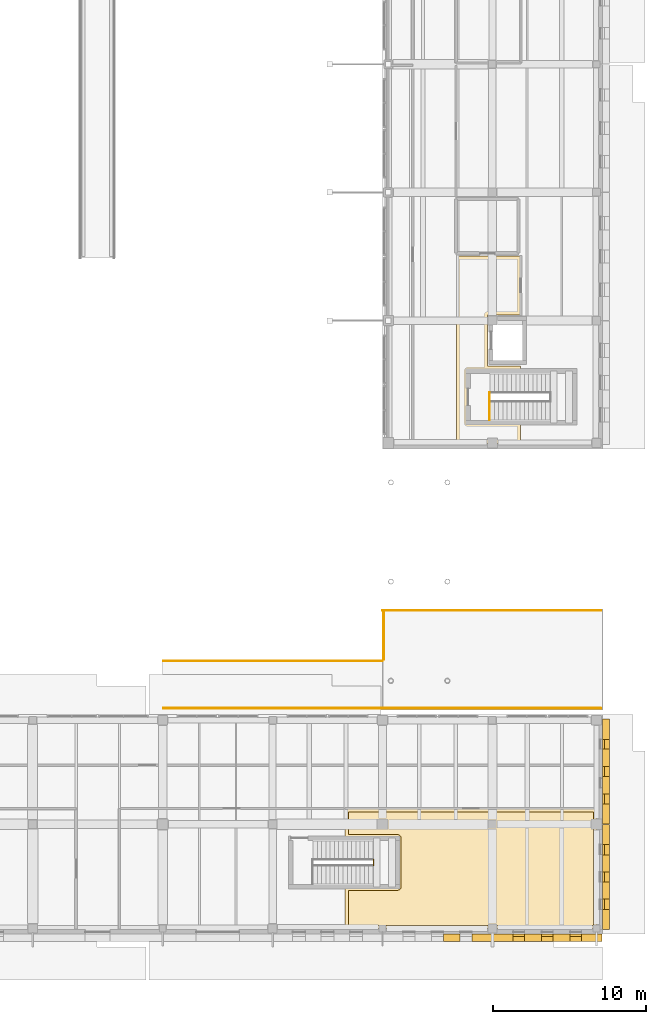
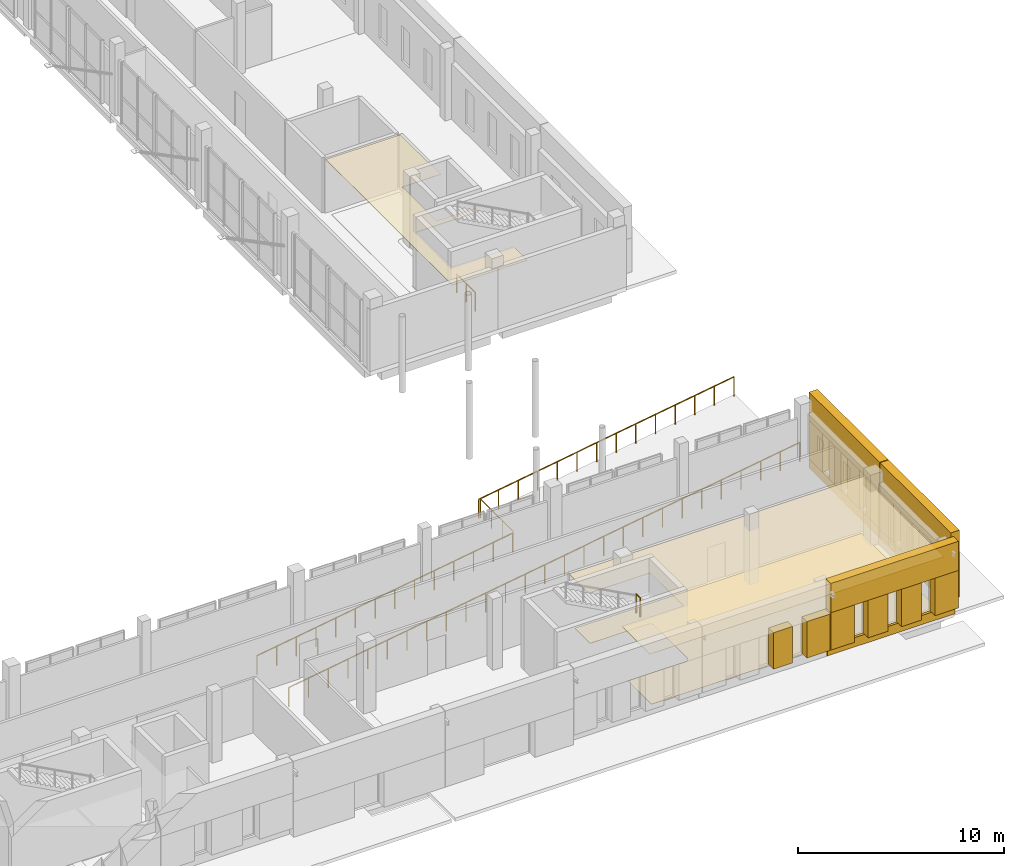
# One storey, part 75 of 77: 23 coverings, 7 railings.
"""IFC4 building model written with IfcOpenShell, lengths in metres."""

import ifcopenshell
import ifcopenshell.guid

model = None  # the IFC model being written
_history = None  # IfcOwnerHistory: only IFC2X3 demands one
_inside = {}  # id of a spatial element -> (the spatial element, [elements in it])
_under = {}  # id of a project, library or spatial element -> (it, [spatial elements below it])
_declared = {}  # id of a project -> (the project, [libraries it declares])
_typed = {}  # id of a type object -> (the type object, [elements of that type])
_made_of = {}  # id of a material, layer set ... -> (it, [elements and type objects made of it])


def new_model(schema):
    """Start an empty IFC model of exactly this schema.

    Asked for "IFC4X3", IfcOpenShell would pick the latest addendum, in which some entities
    have other attributes; the version numbers below select the first issue.
    IFC2X3 requires an IfcOwnerHistory on every rooted entity: one is made here for all.
    """
    global model, _history
    if schema == "IFC4X3":
        model = ifcopenshell.file(schema_version=(4, 3, 0, 0))
    else:
        model = ifcopenshell.file(schema=schema)
    _inside.clear()
    _under.clear()
    _declared.clear()
    _typed.clear()
    _made_of.clear()
    _history = None
    if model.schema == "IFC2X3":
        org = make("IfcOrganization", Name="unknown")
        user = make(
            "IfcPersonAndOrganization",
            ThePerson=make("IfcPerson", FamilyName="unknown"),
            TheOrganization=org,
        )
        app = make(
            "IfcApplication",
            ApplicationDeveloper=org,
            Version="unknown",
            ApplicationFullName="unknown",
            ApplicationIdentifier="unknown",
        )
        _history = make(
            "IfcOwnerHistory",
            OwningUser=user,
            OwningApplication=app,
            ChangeAction="ADDED",
            CreationDate=0,
        )
    return model


def make(cls, **values):
    """One entity of the class cls with the attributes given. An attribute that is None is left unset."""
    return model.create_entity(
        cls, **{name: value for name, value in values.items() if value is not None}
    )


def rooted(cls, **values):
    """An entity with a GlobalId (a new one), such as an element, a storey or a relation."""
    return make(cls, GlobalId=ifcopenshell.guid.new(), OwnerHistory=_history, **values)


def si_unit(unit_type, name, prefix=None):
    """IfcSIUnit, for example si_unit("LENGTHUNIT", "METRE", prefix="MILLI")."""
    return make("IfcSIUnit", UnitType=unit_type, Prefix=prefix, Name=name)


def assignment(units):
    """IfcUnitAssignment: the units of a project."""
    return None if units is None else make("IfcUnitAssignment", Units=units)


def point(xyz):
    """IfcCartesianPoint."""
    return None if xyz is None else make("IfcCartesianPoint", Coordinates=xyz)


def direction(xyz):
    """IfcDirection."""
    return None if xyz is None else make("IfcDirection", DirectionRatios=xyz)


def frame(location, z_axis=None, x_axis=None):
    """IfcAxis2Placement3D, a coordinate frame: its origin and axes. An axis left out is left unset."""
    return make(
        "IfcAxis2Placement3D",
        Location=point(location),
        Axis=direction(z_axis),
        RefDirection=direction(x_axis),
    )


def frame_2d(location, x_axis=None):
    """IfcAxis2Placement2D, a coordinate frame in the plane: its origin and x axis."""
    return make(
        "IfcAxis2Placement2D", Location=point(location), RefDirection=direction(x_axis)
    )


def origin():
    """The frame at (0, 0, 0) with its axes left unset."""
    return frame((0.0, 0.0, 0.0))


def origin_2d():
    """The frame at (0, 0) in the plane with its x axis left unset."""
    return frame_2d((0.0, 0.0))


def place(relative_to, where):
    """IfcLocalPlacement: puts the frame where relative to a parent placement (None: the world)."""
    return make(
        "IfcLocalPlacement", PlacementRelTo=relative_to, RelativePlacement=where
    )


def context(
    kind, dimensions, precision=None, world=None, true_north=None, identifier=None
):
    """IfcGeometricRepresentationContext, for example the 3D "Model" context."""
    return make(
        "IfcGeometricRepresentationContext",
        ContextIdentifier=identifier,
        ContextType=kind,
        CoordinateSpaceDimension=dimensions,
        Precision=precision,
        WorldCoordinateSystem=world,
        TrueNorth=true_north,
    )


def subcontext(parent, identifier, kind, view, scale=None):
    """IfcGeometricRepresentationSubContext, for example "Body" below "Model"."""
    return make(
        "IfcGeometricRepresentationSubContext",
        ContextIdentifier=identifier,
        ContextType=kind,
        ParentContext=parent,
        TargetScale=scale,
        TargetView=view,
    )


def project(units=None, contexts=None):
    """IfcProject with its units and contexts."""
    return rooted(
        "IfcProject",
        Name="project",
        RepresentationContexts=contexts,
        UnitsInContext=assignment(units),
    )


def spatial(cls, under=None, at=None, **own):
    """A site, building, storey or space (cls), placed at a placement, below another one or the project."""
    s = rooted(cls, ObjectPlacement=at, **own)
    if under is not None:
        _under.setdefault(under.id(), (under, []))[1].append(s)
    return s


def polyline(points):
    """IfcPolyline through the points."""
    return make("IfcPolyline", Points=[point(p) for p in points])


def profile(cls, at=None, kind="AREA", **sizes):
    """A parametric profile (cls). Its sizes go by their IFC names, for example OverallWidth=200.0."""
    return make(cls, ProfileType=kind, Position=at, **sizes)


def circle(**sizes):
    """IfcCircleProfileDef."""
    return profile("IfcCircleProfileDef", **sizes)


def outline(outer, holes=None, kind="AREA"):
    """IfcArbitraryClosedProfileDef: a profile drawn as a closed curve; with holes, ...WithVoids."""
    if holes is None:
        return make("IfcArbitraryClosedProfileDef", ProfileType=kind, OuterCurve=outer)
    return make(
        "IfcArbitraryProfileDefWithVoids",
        ProfileType=kind,
        OuterCurve=outer,
        InnerCurves=holes,
    )


def extrude(swept, where, along, depth):
    """IfcExtrudedAreaSolid: the profile swept, set in the frame where, extruded along a direction by depth."""
    return make(
        "IfcExtrudedAreaSolid",
        SweptArea=swept,
        Position=where,
        ExtrudedDirection=direction(along),
        Depth=depth,
    )


def shape(context_of_items, identifier, shape_type, items):
    """IfcShapeRepresentation: the items that make up one representation, for example the "Body"."""
    return make(
        "IfcShapeRepresentation",
        ContextOfItems=context_of_items,
        RepresentationIdentifier=identifier,
        RepresentationType=shape_type,
        Items=items,
    )


def material(Name=None, Category=None):
    """IfcMaterial."""
    return make("IfcMaterial", Name=Name, Category=Category)


def layer(
    of_material, thickness, ventilated=None, Name=None, Category=None, Priority=None
):
    """IfcMaterialLayer: one layer of a wall or slab, of a material (None: an air gap)."""
    return make(
        "IfcMaterialLayer",
        Material=of_material,
        LayerThickness=thickness,
        IsVentilated=ventilated,
        Name=Name,
        Category=Category,
        Priority=Priority,
    )


def layer_set(layers, Name=None):
    """IfcMaterialLayerSet."""
    return make("IfcMaterialLayerSet", MaterialLayers=layers, LayerSetName=Name)


def made_of(thing, what):
    """Note that an element or type object is made of a material, layer set ...; save() writes the relation."""
    if what is not None:
        _made_of.setdefault(what.id(), (what, []))[1].append(thing)
    return thing


def type_object(cls, material=None, **own):
    """A type object (cls), such as IfcWallType, which elements share."""
    return made_of(rooted(cls, **own), material)


def element(
    cls,
    number,
    at=None,
    inside=None,
    cuts=None,
    type_object=None,
    material=None,
    context=None,
    identifier="Body",
    shape_type=None,
    held_by="IfcProductDefinitionShape",
    body=None,
    shapes=None,
    **own,
):
    """One element of the class cls, such as IfcWall. Its Tag is "e" and its number.

    at: its placement. inside: the storey or other place that contains it. cuts: it is an
    opening in that element (IfcRelVoidsElement). A single representation is given by context,
    identifier, shape_type and body (its items); several are given by shapes. held_by: the class
    of the entity that holds the representations. save() writes the other relations.
    """
    e = rooted(cls, Tag="e%d" % number, ObjectPlacement=at, **own)
    if body is not None:
        shapes = [shape(context, identifier, shape_type, body)]
    if shapes is not None:
        e.Representation = make(held_by, Representations=shapes)
    if inside is not None:
        _inside.setdefault(inside.id(), (inside, []))[1].append(e)
    if cuts is not None:
        rooted(
            "IfcRelVoidsElement", RelatingBuildingElement=cuts, RelatedOpeningElement=e
        )
    if type_object is not None:
        _typed.setdefault(type_object.id(), (type_object, []))[1].append(e)
    return made_of(e, material)


def aggregate(whole, parts):
    """IfcRelAggregates: a whole, such as a stair, and the parts it consists of."""
    return rooted("IfcRelAggregates", RelatingObject=whole, RelatedObjects=parts)


def save(model, path):
    """Write the relations noted so far, then the file.

    IfcRelAggregates (storeys below a building ...), IfcRelContainedInSpatialStructure (elements
    in a storey), IfcRelDefinesByType, IfcRelAssociatesMaterial and IfcRelDeclares: one each for
    every whole, place, type object, material and project.
    """
    for whole, parts in _under.values():
        aggregate(whole, parts)
    for where, things in _inside.values():
        rooted(
            "IfcRelContainedInSpatialStructure",
            RelatedElements=things,
            RelatingStructure=where,
        )
    for kind, things in _typed.values():
        rooted("IfcRelDefinesByType", RelatedObjects=things, RelatingType=kind)
    for what, things in _made_of.values():
        rooted("IfcRelAssociatesMaterial", RelatedObjects=things, RelatingMaterial=what)
    for by, libraries in _declared.values():
        rooted("IfcRelDeclares", RelatingContext=by, RelatedDefinitions=libraries)
    model.write(path)


model = new_model("IFC4")

# Units and contexts
model_context = context("Model", 3, precision=1e-05, world=origin(), true_north=direction((0.0, 1.0)))
body_context = subcontext(model_context, "Body", "Model", "MODEL_VIEW")
ifc_project = project(units=[si_unit("LENGTHUNIT", "METRE"), si_unit("AREAUNIT", "SQUARE_METRE"), si_unit("VOLUMEUNIT", "CUBIC_METRE"), si_unit("PLANEANGLEUNIT", "RADIAN"), si_unit("MASSUNIT", "GRAM", prefix="KILO")], contexts=[model_context])

# Site, building, storey
site_placement = place(None, origin())
site = spatial("IfcSite", under=ifc_project, at=site_placement, CompositionType="ELEMENT")
building_placement = place(site_placement, origin())
building = spatial("IfcBuilding", under=site, at=building_placement, Name="Vardoun Plaza Health Centre", CompositionType="ELEMENT")
storey_placement = place(building_placement, origin())
storey = spatial("IfcBuildingStorey", under=building, at=storey_placement, Name="L00", CompositionType="ELEMENT", Elevation=0.0)

# Coverings
ifc_material_1 = material(Name="Hygienic Acoustic Mineral-Fibre Ceiling", Category="concrete")
ifc_layer_1 = layer(ifc_material_1, 0.02490234375)
ifc_layer_set_1 = layer_set([ifc_layer_1], Name="Hygienic Acoustic Mineral-Fibre Ceiling")
covering_type_1 = type_object("IfcCoveringType", Name="CL-01", PredefinedType="CEILING", material=ifc_layer_set_1)
covering_1_placement = place(storey_placement, frame((0.0, 0.0, 3.1650390625)))
element("IfcCovering", 1, at=covering_1_placement, inside=storey, type_object=covering_type_1, Name="Pre-Operative Assessment Clinic 2 Acoustic Ceiling", PredefinedType="CEILING", context=body_context, shape_type="SweptSolid", body=[
    extrude(outline(polyline([(148.449951171875, 4.860107421875), (148.449951171875, 7.590087890625), (151.89990234375, 7.590087890625), (151.90087890625, 7.590087890625), (151.902099609375, 7.590087890625), (151.90283203125, 7.59033203125), (151.90380859375, 7.5908203125), (151.90478515625, 7.59130859375), (151.905517578125, 7.591796875), (151.90625, 7.59228515625), (151.906982421875, 7.593017578125), (151.90771484375, 7.59375), (151.908203125, 7.594482421875), (151.90869140625, 7.59521484375), (151.9091796875, 7.59619140625), (151.90966796875, 7.59716796875), (151.909912109375, 7.597900390625), (151.909912109375, 7.59912109375), (151.909912109375, 7.60009765625), (151.909912109375, 10.800048828125), (151.909912109375, 10.801025390625), (151.909912109375, 10.802001953125), (151.90966796875, 10.802978515625), (151.9091796875, 10.8037109375), (151.90869140625, 10.8046875), (151.908203125, 10.8056640625), (151.90771484375, 10.806396484375), (151.906982421875, 10.80712890625), (151.90625, 10.8076171875), (151.905517578125, 10.808349609375), (151.90478515625, 10.808837890625), (151.90380859375, 10.80908203125), (151.90283203125, 10.8095703125), (151.902099609375, 10.809814453125), (151.90087890625, 10.81005859375), (151.89990234375, 10.81005859375), (148.449951171875, 10.81005859375), (148.449951171875, 12.719970703125), (164.93994140625, 12.719970703125), (164.93994140625, 4.860107421875), (148.449951171875, 4.860107421875)])), origin(), (0.0, 0.0, 1.0), 0.02490234375),
])
covering_2_placement = place(storey_placement, frame((0.0, 0.0, 3.2099609375)))
element("IfcCovering", 2, at=covering_2_placement, inside=storey, type_object=covering_type_1, Name="Outpatient Pharmacy Dispensary A Acoustic Ceiling", PredefinedType="CEILING", context=body_context, shape_type="SweptSolid", body=[
    extrude(outline(polyline([(159.949951171875, 45.06005859375), (157.800048828125, 45.06005859375), (157.799072265625, 45.06005859375), (157.798095703125, 45.059814453125), (157.797119140625, 45.0595703125), (157.796142578125, 45.05908203125), (157.79541015625, 45.058837890625), (157.79443359375, 45.058349609375), (157.793701171875, 45.0576171875), (157.79296875, 45.05712890625), (157.792236328125, 45.056396484375), (157.791748046875, 45.0556640625), (157.791259765625, 45.0546875), (157.790771484375, 45.0537109375), (157.790283203125, 45.052978515625), (157.790283203125, 45.052001953125), (157.7900390625, 45.051025390625), (157.7900390625, 45.050048828125), (157.7900390625, 41.75), (157.7900390625, 41.7490234375), (157.790283203125, 41.748046875), (157.790283203125, 41.7470703125), (157.790771484375, 41.74609375), (157.791259765625, 41.745361328125), (157.791748046875, 41.744384765625), (157.792236328125, 41.74365234375), (157.79296875, 41.742919921875), (157.793701171875, 41.7421875), (157.79443359375, 41.74169921875), (157.79541015625, 41.7412109375), (157.796142578125, 41.74072265625), (157.797119140625, 41.740478515625), (157.798095703125, 41.740234375), (157.799072265625, 41.739990234375), (157.800048828125, 41.739990234375), (159.949951171875, 41.739990234375), (159.949951171875, 41.409912109375), (156.5, 41.409912109375), (156.4990234375, 41.409912109375), (156.498046875, 41.409912109375), (156.4970703125, 41.40966796875), (156.49609375, 41.4091796875), (156.495361328125, 41.40869140625), (156.494384765625, 41.408203125), (156.49365234375, 41.40771484375), (156.492919921875, 41.406982421875), (156.4921875, 41.40625), (156.49169921875, 41.405517578125), (156.4912109375, 41.40478515625), (156.49072265625, 41.40380859375), (156.490478515625, 41.40283203125), (156.490234375, 41.402099609375), (156.489990234375, 41.40087890625), (156.489990234375, 41.39990234375), (156.489990234375, 38.0), (156.489990234375, 37.9990234375), (156.490234375, 37.998046875), (156.490478515625, 37.9970703125), (156.49072265625, 37.99609375), (156.4912109375, 37.995361328125), (156.49169921875, 37.994384765625), (156.4921875, 37.99365234375), (156.492919921875, 37.992919921875), (156.49365234375, 37.9921875), (156.494384765625, 37.99169921875), (156.495361328125, 37.9912109375), (156.49609375, 37.99072265625), (156.4970703125, 37.990478515625), (156.498046875, 37.990234375), (156.4990234375, 37.989990234375), (156.5, 37.989990234375), (159.949951171875, 37.989990234375), (159.949951171875, 36.659912109375), (155.72998046875, 36.659912109375), (155.72998046875, 48.945068359375), (159.949951171875, 48.945068359375), (159.949951171875, 45.06005859375)])), origin(), (0.0, 0.0, 1.0), 0.025146484375),
])
ifc_material_2 = material(Name="Pale Limestone Concrete C35/45", Category="masonry")
ifc_layer_2 = layer(ifc_material_2, 0.080078125)
ifc_layer_set_2 = layer_set([ifc_layer_2], Name="Pale Limestone Concrete C35/45")
covering_type_2 = type_object("IfcCoveringType", Name="CL-EXT1", PredefinedType="CLADDING", material=ifc_layer_set_2)
covering_3_placement = place(storey_placement, origin())
element("IfcCovering", 3, at=covering_3_placement, inside=storey, type_object=covering_type_2, Name="V5 L00 Pale Concrete Sill Band 1071", PredefinedType="CLADDING", context=body_context, shape_type="SweptSolid", body=[
    extrude(outline(polyline([(165.300048828125, 18.5849609375), (165.300048828125, 11.719970703125), (165.43994140625, 11.719970703125), (165.43994140625, 18.5849609375), (165.300048828125, 18.5849609375)])), origin(), (0.0, 0.0, 1.0), 0.550048828125),
])
covering_4_placement = place(storey_placement, frame((0.0, 0.0, 2.830078125)))
element("IfcCovering", 4, at=covering_4_placement, inside=storey, type_object=covering_type_2, Name="V5 L00 Sculpted Concrete Eyebrow Hood 1072", PredefinedType="CLADDING", context=body_context, shape_type="SweptSolid", body=[
    extrude(outline(polyline([(165.300048828125, 18.5849609375), (165.300048828125, 11.719970703125), (165.780029296875, 11.719970703125), (165.780029296875, 18.5849609375), (165.300048828125, 18.5849609375)])), origin(), (0.0, 0.0, 1.0), 1.669921875),
])
covering_5_placement = place(storey_placement, frame((0.0, 0.0, 0.550048828125)))
element("IfcCovering", 5, at=covering_5_placement, inside=storey, type_object=covering_type_2, Name="V5 L00 Deep-Punched Slot Concrete Reveal Pier 1073", PredefinedType="CLADDING", context=body_context, shape_type="SweptSolid", body=[
    extrude(outline(polyline([(165.300048828125, 18.5849609375), (165.300048828125, 17.267822265625), (165.780029296875, 17.267822265625), (165.780029296875, 18.5849609375), (165.300048828125, 18.5849609375)])), origin(), (0.0, 0.0, 1.0), 2.280029296875),
])
covering_6_placement = place(storey_placement, frame((0.0, 0.0, 0.550048828125)))
element("IfcCovering", 6, at=covering_6_placement, inside=storey, type_object=covering_type_2, Name="V5 L00 Deep-Punched Slot Concrete Reveal Pier 1074", PredefinedType="CLADDING", context=body_context, shape_type="SweptSolid", body=[
    extrude(outline(polyline([(165.300048828125, 16.627685546875), (165.300048828125, 15.472412109375), (165.780029296875, 15.472412109375), (165.780029296875, 16.627685546875), (165.300048828125, 16.627685546875)])), origin(), (0.0, 0.0, 1.0), 2.280029296875),
])
covering_7_placement = place(storey_placement, frame((0.0, 0.0, 0.550048828125)))
element("IfcCovering", 7, at=covering_7_placement, inside=storey, type_object=covering_type_2, Name="V5 L00 Deep-Punched Slot Concrete Reveal Pier 1075", PredefinedType="CLADDING", context=body_context, shape_type="SweptSolid", body=[
    extrude(outline(polyline([(165.300048828125, 14.83251953125), (165.300048828125, 13.67724609375), (165.780029296875, 13.67724609375), (165.780029296875, 14.83251953125), (165.300048828125, 14.83251953125)])), origin(), (0.0, 0.0, 1.0), 2.280029296875),
])
covering_8_placement = place(storey_placement, frame((0.0, 0.0, 0.550048828125)))
element("IfcCovering", 8, at=covering_8_placement, inside=storey, type_object=covering_type_2, Name="V5 L00 Deep-Punched Slot Concrete Reveal Pier 1076", PredefinedType="CLADDING", context=body_context, shape_type="SweptSolid", body=[
    extrude(outline(polyline([(165.300048828125, 13.037109375), (165.300048828125, 11.719970703125), (165.780029296875, 11.719970703125), (165.780029296875, 13.037109375), (165.300048828125, 13.037109375)])), origin(), (0.0, 0.0, 1.0), 2.280029296875),
])
covering_9_placement = place(storey_placement, origin())
element("IfcCovering", 9, at=covering_9_placement, inside=storey, type_object=covering_type_2, Name="V5 L00 Pale Concrete Sill Band 1077", PredefinedType="CLADDING", context=body_context, shape_type="SweptSolid", body=[
    extrude(outline(polyline([(165.300048828125, 11.679931640625), (165.300048828125, 4.81494140625), (165.43994140625, 4.81494140625), (165.43994140625, 11.679931640625), (165.300048828125, 11.679931640625)])), origin(), (0.0, 0.0, 1.0), 0.550048828125),
])
covering_10_placement = place(storey_placement, frame((0.0, 0.0, 2.830078125)))
element("IfcCovering", 10, at=covering_10_placement, inside=storey, type_object=covering_type_2, Name="V5 L00 Sculpted Concrete Eyebrow Hood 1078", PredefinedType="CLADDING", context=body_context, shape_type="SweptSolid", body=[
    extrude(outline(polyline([(165.300048828125, 11.679931640625), (165.300048828125, 4.81494140625), (165.780029296875, 4.81494140625), (165.780029296875, 11.679931640625), (165.300048828125, 11.679931640625)])), origin(), (0.0, 0.0, 1.0), 1.669921875),
])
covering_11_placement = place(storey_placement, frame((0.0, 0.0, 0.550048828125)))
element("IfcCovering", 11, at=covering_11_placement, inside=storey, type_object=covering_type_2, Name="V5 L00 Deep-Punched Slot Concrete Reveal Pier 1079", PredefinedType="CLADDING", context=body_context, shape_type="SweptSolid", body=[
    extrude(outline(polyline([(165.300048828125, 11.679931640625), (165.300048828125, 10.3828125), (165.780029296875, 10.3828125), (165.780029296875, 11.679931640625), (165.300048828125, 11.679931640625)])), origin(), (0.0, 0.0, 1.0), 2.280029296875),
])
covering_12_placement = place(storey_placement, frame((0.0, 0.0, 0.550048828125)))
element("IfcCovering", 12, at=covering_12_placement, inside=storey, type_object=covering_type_2, Name="V5 L00 Deep-Punched Slot Concrete Reveal Pier 1080", PredefinedType="CLADDING", context=body_context, shape_type="SweptSolid", body=[
    extrude(outline(polyline([(165.300048828125, 9.702880859375), (165.300048828125, 8.58740234375), (165.780029296875, 8.58740234375), (165.780029296875, 9.702880859375), (165.300048828125, 9.702880859375)])), origin(), (0.0, 0.0, 1.0), 2.280029296875),
])
covering_13_placement = place(storey_placement, frame((0.0, 0.0, 0.550048828125)))
element("IfcCovering", 13, at=covering_13_placement, inside=storey, type_object=covering_type_2, Name="V5 L00 Deep-Punched Slot Concrete Reveal Pier 1081", PredefinedType="CLADDING", context=body_context, shape_type="SweptSolid", body=[
    extrude(outline(polyline([(165.300048828125, 7.907470703125), (165.300048828125, 6.792236328125), (165.780029296875, 6.792236328125), (165.780029296875, 7.907470703125), (165.300048828125, 7.907470703125)])), origin(), (0.0, 0.0, 1.0), 2.280029296875),
])
covering_14_placement = place(storey_placement, frame((0.0, 0.0, 0.550048828125)))
element("IfcCovering", 14, at=covering_14_placement, inside=storey, type_object=covering_type_2, Name="V5 L00 Deep-Punched Slot Concrete Reveal Pier 1082", PredefinedType="CLADDING", context=body_context, shape_type="SweptSolid", body=[
    extrude(outline(polyline([(165.300048828125, 6.1123046875), (165.300048828125, 4.81494140625), (165.780029296875, 4.81494140625), (165.780029296875, 6.1123046875), (165.300048828125, 6.1123046875)])), origin(), (0.0, 0.0, 1.0), 2.280029296875),
])
covering_15_placement = place(storey_placement, origin())
element("IfcCovering", 15, at=covering_15_placement, inside=storey, type_object=covering_type_2, Name="V5 L00 Pale Concrete Sill Band 1083", PredefinedType="CLADDING", context=body_context, shape_type="SweptSolid", body=[
    extrude(outline(polyline([(165.280029296875, 4.5), (158.1201171875, 4.5), (158.1201171875, 4.360107421875), (165.280029296875, 4.360107421875), (165.280029296875, 4.5)])), origin(), (0.0, 0.0, 1.0), 0.550048828125),
])
covering_16_placement = place(storey_placement, frame((0.0, 0.0, 2.77001953125)))
element("IfcCovering", 16, at=covering_16_placement, inside=storey, type_object=covering_type_2, Name="V5 L00 Sculpted Concrete Eyebrow Hood 1084", PredefinedType="CLADDING", context=body_context, shape_type="SweptSolid", body=[
    extrude(outline(polyline([(165.280029296875, 4.5), (158.1201171875, 4.5), (158.1201171875, 4.02001953125), (165.280029296875, 4.02001953125), (165.280029296875, 4.5)])), origin(), (0.0, 0.0, 1.0), 1.72998046875),
])
covering_17_placement = place(storey_placement, frame((0.0, 0.0, 0.550048828125)))
element("IfcCovering", 17, at=covering_17_placement, inside=storey, type_object=covering_type_2, Name="V5 L00 Deep-Punched Slot Concrete Reveal Pier 1085", PredefinedType="CLADDING", context=body_context, shape_type="SweptSolid", body=[
    extrude(outline(polyline([(165.280029296875, 4.5), (163.951904296875, 4.5), (163.951904296875, 4.02001953125), (165.280029296875, 4.02001953125), (165.280029296875, 4.5)])), origin(), (0.0, 0.0, 1.0), 2.219970703125),
])
covering_18_placement = place(storey_placement, frame((0.0, 0.0, 0.550048828125)))
element("IfcCovering", 18, at=covering_18_placement, inside=storey, type_object=covering_type_2, Name="V5 L00 Deep-Punched Slot Concrete Reveal Pier 1086", PredefinedType="CLADDING", context=body_context, shape_type="SweptSolid", body=[
    extrude(outline(polyline([(163.19189453125, 4.5), (162.080078125, 4.5), (162.080078125, 4.02001953125), (163.19189453125, 4.02001953125), (163.19189453125, 4.5)])), origin(), (0.0, 0.0, 1.0), 2.219970703125),
])
covering_19_placement = place(storey_placement, frame((0.0, 0.0, 0.550048828125)))
element("IfcCovering", 19, at=covering_19_placement, inside=storey, type_object=covering_type_2, Name="V5 L00 Deep-Punched Slot Concrete Reveal Pier 1087", PredefinedType="CLADDING", context=body_context, shape_type="SweptSolid", body=[
    extrude(outline(polyline([(161.320068359375, 4.5), (160.2080078125, 4.5), (160.2080078125, 4.02001953125), (161.320068359375, 4.02001953125), (161.320068359375, 4.5)])), origin(), (0.0, 0.0, 1.0), 2.219970703125),
])
covering_20_placement = place(storey_placement, frame((0.0, 0.0, 0.550048828125)))
element("IfcCovering", 20, at=covering_20_placement, inside=storey, type_object=covering_type_2, Name="V5 L00 Deep-Punched Slot Concrete Reveal Pier 1088", PredefinedType="CLADDING", context=body_context, shape_type="SweptSolid", body=[
    extrude(outline(polyline([(159.447998046875, 4.5), (158.1201171875, 4.5), (158.1201171875, 4.02001953125), (159.447998046875, 4.02001953125), (159.447998046875, 4.5)])), origin(), (0.0, 0.0, 1.0), 2.219970703125),
])
covering_21_placement = place(storey_placement, frame((0.0, 0.0, 0.550048828125)))
element("IfcCovering", 21, at=covering_21_placement, inside=storey, type_object=covering_type_2, Name="V5 L00 Deep-Punched Slot Concrete Reveal Pier 1091", PredefinedType="CLADDING", context=body_context, shape_type="SweptSolid", body=[
    extrude(outline(polyline([(158.080078125, 4.5), (156.77197265625, 4.5), (156.77197265625, 4.02001953125), (158.080078125, 4.02001953125), (158.080078125, 4.5)])), origin(), (0.0, 0.0, 1.0), 2.159912109375),
])
covering_22_placement = place(storey_placement, frame((0.0, 0.0, 0.550048828125)))
element("IfcCovering", 22, at=covering_22_placement, inside=storey, type_object=covering_type_2, Name="V5 L00 Deep-Punched Slot Concrete Reveal Pier 1092", PredefinedType="CLADDING", context=body_context, shape_type="SweptSolid", body=[
    extrude(outline(polyline([(155.971923828125, 4.5), (154.89990234375, 4.5), (154.89990234375, 4.02001953125), (155.971923828125, 4.02001953125), (155.971923828125, 4.5)])), origin(), (0.0, 0.0, 1.0), 2.159912109375),
])
ifc_material_3 = material(Name="Seamless Conductive Clinical Vinyl Flooring", Category="concrete")
ifc_layer_3 = layer(ifc_material_3, 0.014892578125)
ifc_layer_set_3 = layer_set([ifc_layer_3], Name="Seamless Conductive Clinical Vinyl Flooring")
covering_type_3 = type_object("IfcCoveringType", Name="FL-01", PredefinedType="FLOORING", material=ifc_layer_set_3)
covering_23_placement = place(storey_placement, origin())
element("IfcCovering", 23, at=covering_23_placement, inside=storey, type_object=covering_type_3, Name="Pre-Operative Assessment Clinic 2 Floor Finish", PredefinedType="FLOORING", context=body_context, shape_type="SweptSolid", body=[
    extrude(outline(polyline([(148.659912109375, 5.070068359375), (148.659912109375, 7.3798828125), (151.89990234375, 7.3798828125), (151.921630859375, 7.381103515625), (151.94287109375, 7.38427734375), (151.9638671875, 7.389404296875), (151.984130859375, 7.396728515625), (152.003662109375, 7.406005859375), (152.022216796875, 7.4169921875), (152.03955078125, 7.429931640625), (152.0556640625, 7.4443359375), (152.070068359375, 7.46044921875), (152.0830078125, 7.477783203125), (152.093994140625, 7.496337890625), (152.103271484375, 7.515869140625), (152.110595703125, 7.5361328125), (152.11572265625, 7.55712890625), (152.118896484375, 7.578369140625), (152.1201171875, 7.60009765625), (152.1201171875, 10.800048828125), (152.118896484375, 10.821533203125), (152.11572265625, 10.843017578125), (152.110595703125, 10.864013671875), (152.103271484375, 10.88427734375), (152.093994140625, 10.90380859375), (152.0830078125, 10.922119140625), (152.070068359375, 10.939697265625), (152.0556640625, 10.95556640625), (152.03955078125, 10.97021484375), (152.022216796875, 10.98291015625), (152.003662109375, 10.993896484375), (151.984130859375, 11.00341796875), (151.9638671875, 11.010498046875), (151.94287109375, 11.015869140625), (151.921630859375, 11.018798828125), (151.89990234375, 11.02001953125), (148.659912109375, 11.02001953125), (148.659912109375, 12.510009765625), (164.72998046875, 12.510009765625), (164.72998046875, 5.070068359375), (148.659912109375, 5.070068359375)])), origin(), (0.0, 0.0, 1.0), 0.014892578125),
])

# Railings
ifc_material_4 = material(Name="Galvanised Steel S275JR Forecourt Guardrail", Category="steel")
railing_type_1 = type_object("IfcRailingType", Name="GR-03", PredefinedType="GUARDRAIL", material=ifc_material_4)
railing_1_placement = place(storey_placement, frame((165.199951171875, 19.300048828125, 0.0)))
element("IfcRailing", 24, at=railing_1_placement, inside=storey, type_object=railing_type_1, Name="Vehicle Ramp Guardrail VR1-S", PredefinedType="GUARDRAIL", context=body_context, shape_type="SweptSolid", body=[
    extrude(circle(Radius=0.02392578125, at=origin_2d()), frame((0.0, 0.0, 1.1259765625), z_axis=(-0.987846919953, 0.0, -0.155429928709), x_axis=(0.0, -1.0, 0.0)), (0.0, 0.0, 1.0), 14.47607421875),
    extrude(circle(Radius=0.02099609375, at=origin_2d()), origin(), (0.0, 0.0, 1.0), 1.101806640625),
    extrude(circle(Radius=0.02099609375, at=origin_2d()), frame((-1.10009765625, 0.0, -0.173095703125)), (0.0, 0.0, 1.0), 1.101806640625),
    extrude(circle(Radius=0.02099609375, at=origin_2d()), frame((-2.199951171875, 0.0, -0.34619140625)), (0.0, 0.0, 1.0), 1.101806640625),
    extrude(circle(Radius=0.02099609375, at=origin_2d()), frame((-3.300048828125, 0.0, -0.519287109375)), (0.0, 0.0, 1.0), 1.101806640625),
    extrude(circle(Radius=0.02099609375, at=origin_2d()), frame((-4.39990234375, 0.0, -0.6923828125)), (0.0, 0.0, 1.0), 1.101806640625),
    extrude(circle(Radius=0.02099609375, at=origin_2d()), frame((-5.5, 0.0, -0.865478515625)), (0.0, 0.0, 1.0), 1.101806640625),
    extrude(circle(Radius=0.02099609375, at=origin_2d()), frame((-6.60009765625, 0.0, -1.03857421875)), (0.0, 0.0, 1.0), 1.101806640625),
    extrude(circle(Radius=0.02099609375, at=origin_2d()), frame((-7.699951171875, 0.0, -1.21142578125)), (0.0, 0.0, 1.0), 1.101806640625),
    extrude(circle(Radius=0.02099609375, at=origin_2d()), frame((-8.800048828125, 0.0, -1.384521484375)), (0.0, 0.0, 1.0), 1.101806640625),
    extrude(circle(Radius=0.02099609375, at=origin_2d()), frame((-9.900146484375, 0.0, -1.5576171875)), (0.0, 0.0, 1.0), 1.101806640625),
    extrude(circle(Radius=0.02099609375, at=origin_2d()), frame((-11.0, 0.0, -1.730712890625)), (0.0, 0.0, 1.0), 1.101806640625),
    extrude(circle(Radius=0.02099609375, at=origin_2d()), frame((-12.10009765625, 0.0, -1.90380859375)), (0.0, 0.0, 1.0), 1.101806640625),
    extrude(circle(Radius=0.02099609375, at=origin_2d()), frame((-13.199951171875, 0.0, -2.076904296875)), (0.0, 0.0, 1.0), 1.101806640625),
    extrude(circle(Radius=0.02099609375, at=origin_2d()), frame((-14.300048828125, 0.0, -2.25)), (0.0, 0.0, 1.0), 1.101806640625),
])
railing_2_placement = place(storey_placement, frame((165.199951171875, 25.699951171875, 0.0)))
element("IfcRailing", 25, at=railing_2_placement, inside=storey, type_object=railing_type_1, Name="Vehicle Ramp Guardrail VR1-N", PredefinedType="GUARDRAIL", context=body_context, shape_type="SweptSolid", body=[
    extrude(circle(Radius=0.02392578125, at=origin_2d()), frame((0.0, 0.0, 1.1259765625), z_axis=(-0.987846919953, 0.0, -0.155429928709), x_axis=(0.0, -1.0, 0.0)), (0.0, 0.0, 1.0), 14.47607421875),
    extrude(circle(Radius=0.02099609375, at=origin_2d()), origin(), (0.0, 0.0, 1.0), 1.101806640625),
    extrude(circle(Radius=0.02099609375, at=origin_2d()), frame((-1.10009765625, 0.0, -0.173095703125)), (0.0, 0.0, 1.0), 1.101806640625),
    extrude(circle(Radius=0.02099609375, at=origin_2d()), frame((-2.199951171875, 0.0, -0.34619140625)), (0.0, 0.0, 1.0), 1.101806640625),
    extrude(circle(Radius=0.02099609375, at=origin_2d()), frame((-3.300048828125, 0.0, -0.519287109375)), (0.0, 0.0, 1.0), 1.101806640625),
    extrude(circle(Radius=0.02099609375, at=origin_2d()), frame((-4.39990234375, 0.0, -0.6923828125)), (0.0, 0.0, 1.0), 1.101806640625),
    extrude(circle(Radius=0.02099609375, at=origin_2d()), frame((-5.5, 0.0, -0.865478515625)), (0.0, 0.0, 1.0), 1.101806640625),
    extrude(circle(Radius=0.02099609375, at=origin_2d()), frame((-6.60009765625, 0.0, -1.03857421875)), (0.0, 0.0, 1.0), 1.101806640625),
    extrude(circle(Radius=0.02099609375, at=origin_2d()), frame((-7.699951171875, 0.0, -1.21142578125)), (0.0, 0.0, 1.0), 1.101806640625),
    extrude(circle(Radius=0.02099609375, at=origin_2d()), frame((-8.800048828125, 0.0, -1.384521484375)), (0.0, 0.0, 1.0), 1.101806640625),
    extrude(circle(Radius=0.02099609375, at=origin_2d()), frame((-9.900146484375, 0.0, -1.5576171875)), (0.0, 0.0, 1.0), 1.101806640625),
    extrude(circle(Radius=0.02099609375, at=origin_2d()), frame((-11.0, 0.0, -1.730712890625)), (0.0, 0.0, 1.0), 1.101806640625),
    extrude(circle(Radius=0.02099609375, at=origin_2d()), frame((-12.10009765625, 0.0, -1.90380859375)), (0.0, 0.0, 1.0), 1.101806640625),
    extrude(circle(Radius=0.02099609375, at=origin_2d()), frame((-13.199951171875, 0.0, -2.076904296875)), (0.0, 0.0, 1.0), 1.101806640625),
    extrude(circle(Radius=0.02099609375, at=origin_2d()), frame((-14.300048828125, 0.0, -2.25)), (0.0, 0.0, 1.0), 1.101806640625),
])
railing_3_placement = place(storey_placement, frame((150.97998046875, 22.5, -2.25)))
element("IfcRailing", 26, at=railing_3_placement, inside=storey, type_object=railing_type_1, Name="Vehicle Ramp Guardrail VR1-W", PredefinedType="GUARDRAIL", context=body_context, shape_type="SweptSolid", body=[
    extrude(circle(Radius=0.02392578125, at=origin_2d()), frame((0.0, 0.0, 1.1259765625), z_axis=(0.0, 1.0, 0.0), x_axis=(-1.0, 0.0, 0.0)), (0.0, 0.0, 1.0), 3.199951171875),
    extrude(circle(Radius=0.02099609375, at=origin_2d()), origin(), (0.0, 0.0, 1.0), 1.101806640625),
    extrude(circle(Radius=0.02099609375, at=origin_2d()), frame((0.0, 1.066650390625, 0.0)), (0.0, 0.0, 1.0), 1.101806640625),
    extrude(circle(Radius=0.02099609375, at=origin_2d()), frame((0.0, 2.13330078125, 0.0)), (0.0, 0.0, 1.0), 1.101806640625),
    extrude(circle(Radius=0.02099609375, at=origin_2d()), frame((0.0, 3.199951171875, 0.0)), (0.0, 0.0, 1.0), 1.101806640625),
])
railing_4_placement = place(storey_placement, frame((150.89990234375, 19.300048828125, -2.25)))
element("IfcRailing", 27, at=railing_4_placement, inside=storey, type_object=railing_type_1, Name="Vehicle Ramp Guardrail VR2-S", PredefinedType="GUARDRAIL", context=body_context, shape_type="SweptSolid", body=[
    extrude(circle(Radius=0.02392578125, at=origin_2d()), frame((0.0, 0.0, 1.1259765625), z_axis=(-0.98792961546, 0.0, -0.154903437332), x_axis=(0.0, -1.0, 0.0)), (0.0, 0.0, 1.0), 14.525146484375),
    extrude(circle(Radius=0.02099609375, at=origin_2d()), origin(), (0.0, 0.0, 1.0), 1.101806640625),
    extrude(circle(Radius=0.02099609375, at=origin_2d()), frame((-1.103759765625, 0.0, -0.173095703125)), (0.0, 0.0, 1.0), 1.101806640625),
    extrude(circle(Radius=0.02099609375, at=origin_2d()), frame((-2.207763671875, 0.0, -0.34619140625)), (0.0, 0.0, 1.0), 1.101806640625),
    extrude(circle(Radius=0.02099609375, at=origin_2d()), frame((-3.3115234375, 0.0, -0.519287109375)), (0.0, 0.0, 1.0), 1.101806640625),
    extrude(circle(Radius=0.02099609375, at=origin_2d()), frame((-4.415283203125, 0.0, -0.6923828125)), (0.0, 0.0, 1.0), 1.101806640625),
    extrude(circle(Radius=0.02099609375, at=origin_2d()), frame((-5.519287109375, 0.0, -0.865478515625)), (0.0, 0.0, 1.0), 1.101806640625),
    extrude(circle(Radius=0.02099609375, at=origin_2d()), frame((-6.623046875, 0.0, -1.03857421875)), (0.0, 0.0, 1.0), 1.101806640625),
    extrude(circle(Radius=0.02099609375, at=origin_2d()), frame((-7.726806640625, 0.0, -1.21142578125)), (0.0, 0.0, 1.0), 1.101806640625),
    extrude(circle(Radius=0.02099609375, at=origin_2d()), frame((-8.83056640625, 0.0, -1.384521484375)), (0.0, 0.0, 1.0), 1.101806640625),
    extrude(circle(Radius=0.02099609375, at=origin_2d()), frame((-9.9345703125, 0.0, -1.5576171875)), (0.0, 0.0, 1.0), 1.101806640625),
    extrude(circle(Radius=0.02099609375, at=origin_2d()), frame((-11.038330078125, 0.0, -1.730712890625)), (0.0, 0.0, 1.0), 1.101806640625),
    extrude(circle(Radius=0.02099609375, at=origin_2d()), frame((-12.14208984375, 0.0, -1.90380859375)), (0.0, 0.0, 1.0), 1.101806640625),
    extrude(circle(Radius=0.02099609375, at=origin_2d()), frame((-13.24609375, 0.0, -2.076904296875)), (0.0, 0.0, 1.0), 1.101806640625),
    extrude(circle(Radius=0.02099609375, at=origin_2d()), frame((-14.349853515625, 0.0, -2.25)), (0.0, 0.0, 1.0), 1.101806640625),
])
railing_5_placement = place(storey_placement, frame((150.89990234375, 22.39990234375, -2.25)))
element("IfcRailing", 28, at=railing_5_placement, inside=storey, type_object=railing_type_1, Name="Vehicle Ramp Guardrail VR2-N", PredefinedType="GUARDRAIL", context=body_context, shape_type="SweptSolid", body=[
    extrude(circle(Radius=0.02392578125, at=origin_2d()), frame((0.0, 0.0, 1.1259765625), z_axis=(-0.98792961546, 0.0, -0.154903437332), x_axis=(0.0, -1.0, 0.0)), (0.0, 0.0, 1.0), 14.525146484375),
    extrude(circle(Radius=0.02099609375, at=origin_2d()), origin(), (0.0, 0.0, 1.0), 1.101806640625),
    extrude(circle(Radius=0.02099609375, at=origin_2d()), frame((-1.103759765625, 0.0, -0.173095703125)), (0.0, 0.0, 1.0), 1.101806640625),
    extrude(circle(Radius=0.02099609375, at=origin_2d()), frame((-2.207763671875, 0.0, -0.34619140625)), (0.0, 0.0, 1.0), 1.101806640625),
    extrude(circle(Radius=0.02099609375, at=origin_2d()), frame((-3.3115234375, 0.0, -0.519287109375)), (0.0, 0.0, 1.0), 1.101806640625),
    extrude(circle(Radius=0.02099609375, at=origin_2d()), frame((-4.415283203125, 0.0, -0.6923828125)), (0.0, 0.0, 1.0), 1.101806640625),
    extrude(circle(Radius=0.02099609375, at=origin_2d()), frame((-5.519287109375, 0.0, -0.865478515625)), (0.0, 0.0, 1.0), 1.101806640625),
    extrude(circle(Radius=0.02099609375, at=origin_2d()), frame((-6.623046875, 0.0, -1.03857421875)), (0.0, 0.0, 1.0), 1.101806640625),
    extrude(circle(Radius=0.02099609375, at=origin_2d()), frame((-7.726806640625, 0.0, -1.21142578125)), (0.0, 0.0, 1.0), 1.101806640625),
    extrude(circle(Radius=0.02099609375, at=origin_2d()), frame((-8.83056640625, 0.0, -1.384521484375)), (0.0, 0.0, 1.0), 1.101806640625),
    extrude(circle(Radius=0.02099609375, at=origin_2d()), frame((-9.9345703125, 0.0, -1.5576171875)), (0.0, 0.0, 1.0), 1.101806640625),
    extrude(circle(Radius=0.02099609375, at=origin_2d()), frame((-11.038330078125, 0.0, -1.730712890625)), (0.0, 0.0, 1.0), 1.101806640625),
    extrude(circle(Radius=0.02099609375, at=origin_2d()), frame((-12.14208984375, 0.0, -1.90380859375)), (0.0, 0.0, 1.0), 1.101806640625),
    extrude(circle(Radius=0.02099609375, at=origin_2d()), frame((-13.24609375, 0.0, -2.076904296875)), (0.0, 0.0, 1.0), 1.101806640625),
    extrude(circle(Radius=0.02099609375, at=origin_2d()), frame((-14.349853515625, 0.0, -2.25)), (0.0, 0.0, 1.0), 1.101806640625),
])
ifc_material_5 = material(Name="Painted Steel S275JR Stair-Well Guardrail", Category="steel")
railing_type_2 = type_object("IfcRailingType", Name="GR-04", PredefinedType="GUARDRAIL", material=ifc_material_5)
railing_6_placement = place(storey_placement, frame((157.909912109375, 38.179931640625, 0.0)))
element("IfcRailing", 29, at=railing_6_placement, inside=storey, type_object=railing_type_2, Name="Stair ST-C10-B1 Upper Landing Well Guard", PredefinedType="GUARDRAIL", context=body_context, shape_type="SweptSolid", body=[
    extrude(circle(Radius=0.02392578125, at=origin_2d()), frame((0.0, 0.0, 1.09619140625), z_axis=(0.0, 1.0, 0.0), x_axis=(-1.0, 0.0, 0.0)), (0.0, 0.0, 1.0), 1.815185546875),
    extrude(circle(Radius=0.02099609375, at=origin_2d()), origin(), (0.0, 0.0, 1.0), 1.072021484375),
    extrude(circle(Radius=0.02099609375, at=origin_2d()), frame((0.0, 0.90771484375, 0.0)), (0.0, 0.0, 1.0), 1.072021484375),
    extrude(circle(Radius=0.02099609375, at=origin_2d()), frame((0.0, 1.815185546875, 0.0)), (0.0, 0.0, 1.0), 1.072021484375),
])
railing_7_placement = place(storey_placement, frame((150.31005859375, 9.0048828125, 2.25)))
element("IfcRailing", 30, at=railing_7_placement, inside=storey, type_object=railing_type_2, Name="Stair ST-C9-L00 Mid-Landing Well Guard", PredefinedType="GUARDRAIL", context=body_context, shape_type="SweptSolid", body=[
    extrude(circle(Radius=0.02392578125, at=origin_2d()), frame((0.0, 0.0, 1.09619140625), z_axis=(0.0, 1.0, 0.0), x_axis=(-1.0, 0.0, 0.0)), (0.0, 0.0, 1.0), 0.39013671875),
    extrude(circle(Radius=0.02099609375, at=origin_2d()), origin(), (0.0, 0.0, 1.0), 1.072021484375),
    extrude(circle(Radius=0.02099609375, at=origin_2d()), frame((0.0, 0.39013671875, 0.0)), (0.0, 0.0, 1.0), 1.072021484375),
])

save(model, "model.ifc")
